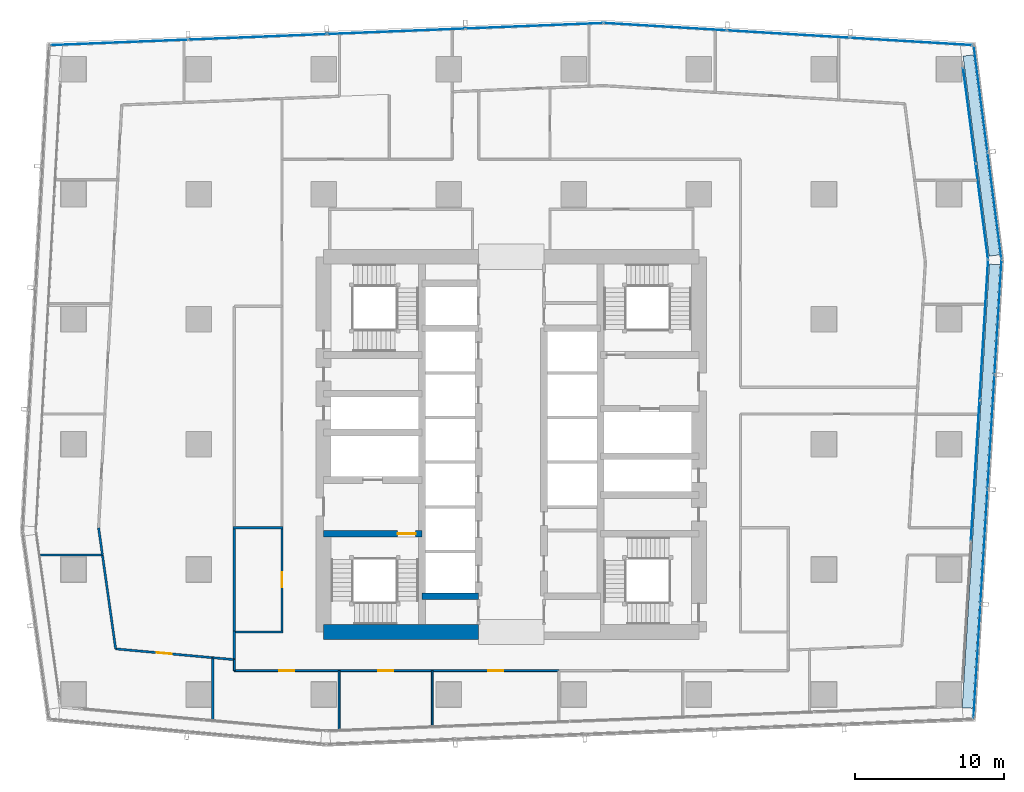
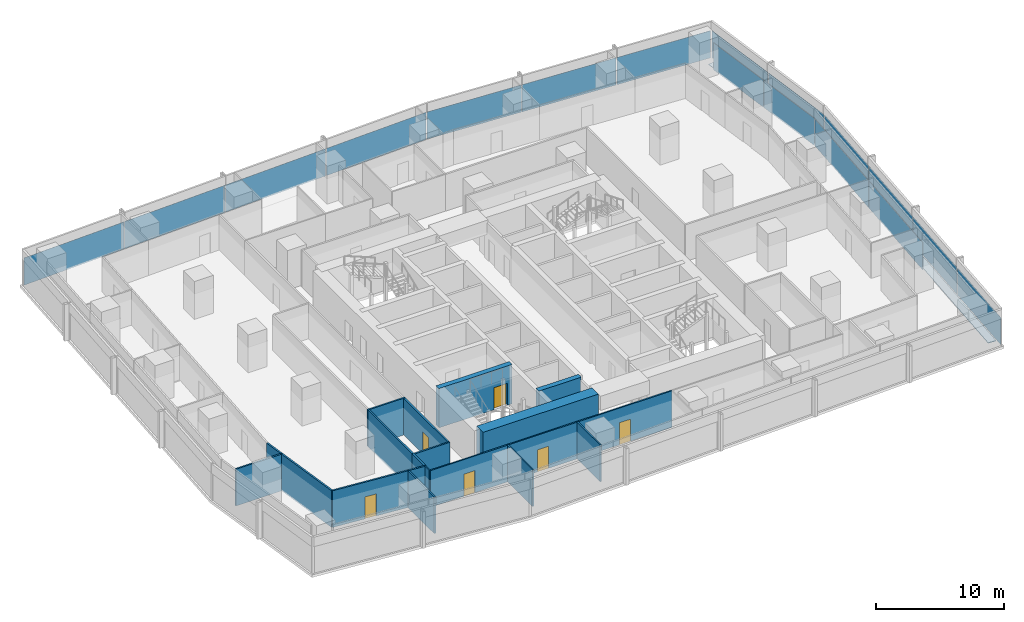
# One storey, part 28 of 40: 20 walls, 19 plates, 6 doors, 6 openings, 6 elements without a shape of their own.
"""IFC4 building model written with IfcOpenShell, lengths in metres."""

from ifc_helpers import new_model, si_unit, direction, frame, frame_2d, origin, origin_2d, place, context, subcontext, project, spatial, rectangle, extrude, material, layer, layer_set, type_object, element, fill, aggregate, save


model = new_model("IFC4")

# Units and contexts
model_context = context("Model", 3, precision=1e-05, world=origin(), true_north=direction((0.0, 1.0)))
body_context = subcontext(model_context, "Body", "Model", "MODEL_VIEW")
ifc_project = project(units=[si_unit("LENGTHUNIT", "METRE"), si_unit("AREAUNIT", "SQUARE_METRE"), si_unit("VOLUMEUNIT", "CUBIC_METRE"), si_unit("PLANEANGLEUNIT", "RADIAN"), si_unit("MASSUNIT", "GRAM", prefix="KILO")], contexts=[model_context])

# Site, building, storey
site_placement = place(None, origin())
site = spatial("IfcSite", under=ifc_project, at=site_placement, CompositionType="ELEMENT")
building_placement = place(site_placement, origin())
building = spatial("IfcBuilding", under=site, at=building_placement, Name="Rekha Terrace Tower", CompositionType="ELEMENT")
storey_placement = place(building_placement, frame((0.0, 0.0, 121.550048828125)))
storey = spatial("IfcBuildingStorey", under=building, at=storey_placement, Name="L30", CompositionType="ELEMENT", Elevation=121.550048828125)

# Curtain wall, plates
ifc_material_1 = material(Name="Aluminium framing", Category="aluminium")
curtain_wall_type_1 = type_object("IfcCurtainWallType", Name="CW1 double skin inner glazing", PredefinedType="USERDEFINED", material=ifc_material_1)
curtain_wall_1_placement = place(storey_placement, origin())
curtain_wall_1 = element("IfcCurtainWall", 1, at=curtain_wall_1_placement, inside=storey, type_object=curtain_wall_type_1, Name="CW1 double skin inner glazing", ObjectType="DOUBLE SKIN INNER GLAZING", PredefinedType="USERDEFINED")
ifc_material_2 = material(Name="Double-glazed low-e unit 32", Category="glass")
ifc_layer_1 = layer(ifc_material_2, 0.031982421875)
ifc_layer_set_1 = layer_set([ifc_layer_1], Name="Double-glazed low-e unit 32")
plate_type_1 = type_object("IfcPlateType", Name="CW1 jumbo vision panel, double-glazed low-e unit 32", PredefinedType="CURTAIN_PANEL", material=ifc_layer_set_1)
plate_1_placement = place(storey_placement, frame((68.968505859375, 31.8193359375, 0.0), z_axis=(0.0, 0.0, 1.0), x_axis=(0.061159803131, 0.998127987024, 0.0)))
plate_1 = element("IfcPlate", 2, at=plate_1_placement, type_object=plate_type_1, Name="CW1 panel 2.1", PredefinedType="CURTAIN_PANEL", context=body_context, shape_type="SweptSolid", body=[
    extrude(rectangle(XDim=9.3876953125, YDim=0.031982421875, at=origin_2d()), origin(), (0.0, 0.0, 1.0), 2.60009765625),
])
plate_2_placement = place(storey_placement, frame((69.547607421875, 41.2705078125, 0.0), z_axis=(0.0, 0.0, 1.0), x_axis=(0.061159803131, 0.998127987024, 0.0)))
plate_2 = element("IfcPlate", 3, at=plate_2_placement, type_object=plate_type_1, Name="CW1 panel 3.1", PredefinedType="CURTAIN_PANEL", context=body_context, shape_type="SweptSolid", body=[
    extrude(rectangle(XDim=9.420166015625, YDim=0.031982421875, at=origin_2d()), origin(), (0.0, 0.0, 1.0), 2.60009765625),
])
aggregate(curtain_wall_1, [plate_1, plate_2])

curtain_wall_2_placement = place(storey_placement, origin())
curtain_wall_2 = element("IfcCurtainWall", 4, at=curtain_wall_2_placement, inside=storey, type_object=curtain_wall_type_1, Name="CW1 double skin inner glazing", ObjectType="DOUBLE SKIN INNER GLAZING", PredefinedType="USERDEFINED")
plate_3_placement = place(storey_placement, frame((69.411376953125, 49.230712890625, 0.0), z_axis=(0.0, 0.0, 1.0), x_axis=(-0.129118383675, 0.991629186237, 0.0)))
plate_3 = element("IfcPlate", 5, at=plate_3_placement, type_object=plate_type_1, Name="CW1 panel 1.1", PredefinedType="CURTAIN_PANEL", context=body_context, shape_type="SweptSolid", body=[
    extrude(rectangle(XDim=6.443115234375, YDim=0.031982421875, at=origin_2d()), origin(), (0.0, 0.0, 1.0), 2.60009765625),
])
plate_4_placement = place(storey_placement, frame((68.571044921875, 55.68408203125, 0.0), z_axis=(0.0, 0.0, 1.0), x_axis=(-0.129118383675, 0.991629186237, 0.0)))
plate_4 = element("IfcPlate", 6, at=plate_4_placement, type_object=plate_type_1, Name="CW1 panel 2.1", PredefinedType="CURTAIN_PANEL", context=body_context, shape_type="SweptSolid", body=[
    extrude(rectangle(XDim=6.443115234375, YDim=0.031982421875, at=origin_2d()), origin(), (0.0, 0.0, 1.0), 2.60009765625),
])
aggregate(curtain_wall_2, [plate_3, plate_4])

curtain_wall_type_2 = type_object("IfcCurtainWallType", Name="CW2 double skin outer glazing", PredefinedType="USERDEFINED", material=ifc_material_1)
curtain_wall_3_placement = place(storey_placement, origin())
curtain_wall_3 = element("IfcCurtainWall", 7, at=curtain_wall_3_placement, inside=storey, type_object=curtain_wall_type_2, Name="CW2 double skin outer glazing", ObjectType="DOUBLE SKIN OUTER GLAZING", PredefinedType="USERDEFINED")
ifc_material_3 = material(Name="Toughened single glazing 12", Category="glass")
ifc_layer_2 = layer(ifc_material_3, 0.011962890625)
ifc_layer_set_2 = layer_set([ifc_layer_2], Name="Toughened single glazing 12")
plate_type_2 = type_object("IfcPlateType", Name="CW2 jumbo vision panel, toughened single glazing 12", PredefinedType="CURTAIN_PANEL", material=ifc_layer_set_2)
plate_5_placement = place(storey_placement, frame((69.086669921875, 19.0302734375, 0.0), z_axis=(0.0, 0.0, 1.0), x_axis=(0.061159803131, 0.998127987024, 0.0)))
plate_5 = element("IfcPlate", 8, at=plate_5_placement, type_object=plate_type_2, Name="CW2 panel 1.1", PredefinedType="CURTAIN_PANEL", context=body_context, shape_type="SweptSolid", body=[
    extrude(rectangle(XDim=7.6064453125, YDim=0.011962890625, at=origin_2d()), origin(), (0.0, 0.0, 1.0), 2.60009765625),
])
plate_6_placement = place(storey_placement, frame((69.557861328125, 26.722412109375, 0.0), z_axis=(0.0, 0.0, 1.0), x_axis=(0.061159803131, 0.998127987024, 0.0)))
plate_6 = element("IfcPlate", 9, at=plate_6_placement, type_object=plate_type_2, Name="CW2 panel 2.1", PredefinedType="CURTAIN_PANEL", context=body_context, shape_type="SweptSolid", body=[
    extrude(rectangle(XDim=7.646484375, YDim=0.011962890625, at=origin_2d()), origin(), (0.0, 0.0, 1.0), 2.60009765625),
])
plate_7_placement = place(storey_placement, frame((70.030517578125, 34.434326171875, 0.0), z_axis=(0.0, 0.0, 1.0), x_axis=(0.061159803131, 0.998127987024, 0.0)))
plate_7 = element("IfcPlate", 10, at=plate_7_placement, type_object=plate_type_2, Name="CW2 panel 3.1", PredefinedType="CURTAIN_PANEL", context=body_context, shape_type="SweptSolid", body=[
    extrude(rectangle(XDim=7.646484375, YDim=0.011962890625, at=origin_2d()), origin(), (0.0, 0.0, 1.0), 2.60009765625),
])
plate_8_placement = place(storey_placement, frame((70.50439453125, 42.16650390625, 0.0), z_axis=(0.0, 0.0, 1.0), x_axis=(0.061159803131, 0.998127987024, 0.0)))
plate_8 = element("IfcPlate", 11, at=plate_8_placement, type_object=plate_type_2, Name="CW2 panel 4.1", PredefinedType="CURTAIN_PANEL", context=body_context, shape_type="SweptSolid", body=[
    extrude(rectangle(XDim=7.6865234375, YDim=0.011962890625, at=origin_2d()), origin(), (0.0, 0.0, 1.0), 2.60009765625),
])
aggregate(curtain_wall_3, [plate_5, plate_6, plate_7, plate_8])

curtain_wall_4_placement = place(storey_placement, origin())
curtain_wall_4 = element("IfcCurtainWall", 12, at=curtain_wall_4_placement, inside=storey, type_object=curtain_wall_type_2, Name="CW2 double skin outer glazing", ObjectType="DOUBLE SKIN OUTER GLAZING", PredefinedType="USERDEFINED")
plate_9_placement = place(storey_placement, frame((70.2666015625, 49.6337890625, 0.0), z_axis=(0.0, 0.0, 1.0), x_axis=(-0.129118383623, 0.991629186244, 0.0)))
plate_9 = element("IfcPlate", 13, at=plate_9_placement, type_object=plate_type_2, Name="CW2 panel 1.1", PredefinedType="CURTAIN_PANEL", context=body_context, shape_type="SweptSolid", body=[
    extrude(rectangle(XDim=7.163818359375, YDim=0.011962890625, at=origin_2d()), origin(), (0.0, 0.0, 1.0), 2.60009765625),
])
plate_10_placement = place(storey_placement, frame((69.331298828125, 56.81689453125, 0.0), z_axis=(0.0, 0.0, 1.0), x_axis=(-0.129118383623, 0.991629186244, 0.0)))
plate_10 = element("IfcPlate", 14, at=plate_10_placement, type_object=plate_type_2, Name="CW2 panel 2.1", PredefinedType="CURTAIN_PANEL", context=body_context, shape_type="SweptSolid", body=[
    extrude(rectangle(XDim=7.163818359375, YDim=0.011962890625, at=origin_2d()), origin(), (0.0, 0.0, 1.0), 2.60009765625),
])
aggregate(curtain_wall_4, [plate_9, plate_10])

curtain_wall_type_3 = type_object("IfcCurtainWallType", Name="CW3 north unitised glazing", PredefinedType="USERDEFINED", material=ifc_material_1)
curtain_wall_5_placement = place(storey_placement, origin())
curtain_wall_5 = element("IfcCurtainWall", 15, at=curtain_wall_5_placement, inside=storey, type_object=curtain_wall_type_3, Name="CW3 unitised curtain wall", ObjectType="UNITISED CURTAIN WALL", PredefinedType="USERDEFINED")
ifc_material_4 = material(Name="Double-glazed unit 28", Category="glass")
ifc_layer_3 = layer(ifc_material_4, 0.028076171875)
ifc_layer_set_3 = layer_set([ifc_layer_3], Name="Double-glazed unit 28")
plate_type_3 = type_object("IfcPlateType", Name="CW3 jumbo vision panel, double-glazed unit 28", PredefinedType="CURTAIN_PANEL", material=ifc_layer_set_3)
plate_11_placement = place(storey_placement, frame((64.6748046875, 60.65966796875, 0.0), z_axis=(0.0, 0.0, 1.0), x_axis=(-0.998199102701, 0.059987926837, 0.0)))
plate_11 = element("IfcPlate", 16, at=plate_11_placement, type_object=plate_type_3, Name="CW3 panel 1.1", PredefinedType="CURTAIN_PANEL", context=body_context, shape_type="SweptSolid", body=[
    extrude(rectangle(XDim=8.171630859375, YDim=0.028076171875, at=origin_2d()), origin(), (0.0, 0.0, 1.0), 2.60009765625),
])
plate_12_placement = place(storey_placement, frame((56.430419921875, 61.155029296875, 0.0), z_axis=(0.0, 0.0, 1.0), x_axis=(-0.998199102701, 0.059987926837, 0.0)))
plate_12 = element("IfcPlate", 17, at=plate_12_placement, type_object=plate_type_3, Name="CW3 panel 2.1", PredefinedType="CURTAIN_PANEL", context=body_context, shape_type="SweptSolid", body=[
    extrude(rectangle(XDim=8.20654296875, YDim=0.028076171875, at=origin_2d()), origin(), (0.0, 0.0, 1.0), 2.60009765625),
])
plate_13_placement = place(storey_placement, frame((48.1513671875, 61.652587890625, 0.0), z_axis=(0.0, 0.0, 1.0), x_axis=(-0.998199102701, 0.059987926837, 0.0)))
plate_13 = element("IfcPlate", 18, at=plate_13_placement, type_object=plate_type_3, Name="CW3 panel 3.1", PredefinedType="CURTAIN_PANEL", context=body_context, shape_type="SweptSolid", body=[
    extrude(rectangle(XDim=8.24169921875, YDim=0.028076171875, at=origin_2d()), origin(), (0.0, 0.0, 1.0), 2.60009765625),
])
aggregate(curtain_wall_5, [plate_11, plate_12, plate_13])

curtain_wall_6_placement = place(storey_placement, origin())
curtain_wall_6 = element("IfcCurtainWall", 19, at=curtain_wall_6_placement, inside=storey, type_object=curtain_wall_type_3, Name="CW3 unitised curtain wall", ObjectType="UNITISED CURTAIN WALL", PredefinedType="USERDEFINED")
plate_14_placement = place(storey_placement, frame((39.364501953125, 61.71240234375, 0.0), z_axis=(0.0, 0.0, 1.0), x_axis=(-0.999198398721, -0.040031987119, 0.0)))
plate_14 = element("IfcPlate", 20, at=plate_14_placement, type_object=plate_type_3, Name="CW3 panel 1.1", PredefinedType="CURTAIN_PANEL", context=body_context, shape_type="SweptSolid", body=[
    extrude(rectangle(XDim=9.214599609375, YDim=0.028076171875, at=origin_2d()), origin(), (0.0, 0.0, 1.0), 2.60009765625),
])
plate_15_placement = place(storey_placement, frame((30.06982421875, 61.340087890625, 0.0), z_axis=(0.0, 0.0, 1.0), x_axis=(-0.999198398721, -0.040031987119, 0.0)))
plate_15 = element("IfcPlate", 21, at=plate_15_placement, type_object=plate_type_3, Name="CW3 panel 2.1", PredefinedType="CURTAIN_PANEL", context=body_context, shape_type="SweptSolid", body=[
    extrude(rectangle(XDim=9.24951171875, YDim=0.028076171875, at=origin_2d()), origin(), (0.0, 0.0, 1.0), 2.60009765625),
])
plate_16_placement = place(storey_placement, frame((20.7578125, 60.967041015625, 0.0), z_axis=(0.0, 0.0, 1.0), x_axis=(-0.999198398721, -0.040031987119, 0.0)))
plate_16 = element("IfcPlate", 22, at=plate_16_placement, type_object=plate_type_3, Name="CW3 panel 3.1", PredefinedType="CURTAIN_PANEL", context=body_context, shape_type="SweptSolid", body=[
    extrude(rectangle(XDim=9.24951171875, YDim=0.028076171875, at=origin_2d()), origin(), (0.0, 0.0, 1.0), 2.60009765625),
])
plate_17_placement = place(storey_placement, frame((11.46337890625, 60.5947265625, 0.0), z_axis=(0.0, 0.0, 1.0), x_axis=(-0.999198398721, -0.040031987119, 0.0)))
plate_17 = element("IfcPlate", 23, at=plate_17_placement, type_object=plate_type_3, Name="CW3 panel 4.1", PredefinedType="CURTAIN_PANEL", context=body_context, shape_type="SweptSolid", body=[
    extrude(rectangle(XDim=9.214599609375, YDim=0.028076171875, at=origin_2d()), origin(), (0.0, 0.0, 1.0), 2.60009765625),
])
aggregate(curtain_wall_6, [plate_14, plate_15, plate_16, plate_17])

# Plates
ifc_material_5 = material(Name="Galvanised steel open grating", Category="steel")
ifc_layer_4 = layer(ifc_material_5, 0.050048828125)
ifc_layer_set_4 = layer_set([ifc_layer_4], Name="Galvanised steel open grating")
plate_type_4 = type_object("IfcPlateType", Name="GT1 cavity walkway grating 50", PredefinedType="USERDEFINED", material=ifc_layer_set_4)
plate_18_placement = place(storey_placement, frame((69.356201171875, 30.78759765625, 0.0), z_axis=(0.0, 0.0, 1.0), x_axis=(0.061159803131, 0.998127987024, 0.0)))
element("IfcPlate", 24, at=plate_18_placement, inside=storey, type_object=plate_type_4, Name="Cavity walkway grating", ObjectType="CAVITY WALKWAY GRATING", PredefinedType="USERDEFINED", context=body_context, shape_type="SweptSolid", body=[
    extrude(rectangle(XDim=29.85595703125, YDim=0.705078125, at=origin_2d()), origin(), (0.0, 0.0, 1.0), 0.050048828125),
])
plate_19_placement = place(storey_placement, frame((69.373779296875, 53.004150390625, 0.0), z_axis=(0.0, 0.0, 1.0), x_axis=(-0.129118383623, 0.991629186244, 0.0)))
element("IfcPlate", 25, at=plate_19_placement, inside=storey, type_object=plate_type_4, Name="Cavity walkway grating", ObjectType="CAVITY WALKWAY GRATING", PredefinedType="USERDEFINED", context=body_context, shape_type="SweptSolid", body=[
    extrude(rectangle(XDim=13.552734375, YDim=0.705078125, at=origin_2d()), origin(), (0.0, 0.0, 1.0), 0.050048828125),
])

# Wall
ifc_material_6 = material(Name="Concrete M70", Category="concrete")
ifc_layer_5 = layer(ifc_material_6, 0.449951171875)
ifc_layer_set_5 = layer_set([ifc_layer_5], Name="Concrete M70")
wall_type_1 = type_object("IfcWallType", Name="CI2 450 core internal shear wall", PredefinedType="SHEAR", material=ifc_layer_set_5)
wall_1_placement = place(storey_placement, frame((31.800048828125, 23.39990234375, 0.0), z_axis=(0.0, 0.0, 1.0), x_axis=(1.0, 0.0, 0.0)))
element("IfcWall", 26, at=wall_1_placement, inside=storey, type_object=wall_type_1, Name="Core wall Y234W L30", PredefinedType="SHEAR", context=body_context, shape_type="SweptSolid", body=[
    extrude(rectangle(XDim=3.800048828125, YDim=0.449951171875, at=frame_2d((1.89990234375, 0.0))), origin(), (0.0, 0.0, 1.0), 3.75),
])

# Wall, opening, door
wall_2_placement = place(storey_placement, frame((25.199951171875, 27.60009765625, 0.0), z_axis=(0.0, 0.0, 1.0), x_axis=(1.0, 0.0, 0.0)))
wall_2 = element("IfcWall", 27, at=wall_2_placement, inside=storey, type_object=wall_type_1, Name="Core wall Y276W L30", PredefinedType="SHEAR", context=body_context, shape_type="SweptSolid", body=[
    extrude(rectangle(XDim=6.60009765625, YDim=0.449951171875, at=frame_2d((3.300048828125, 0.0))), origin(), (0.0, 0.0, 1.0), 3.75),
])
opening_1_placement = place(wall_2_placement, frame((4.97509765625, 0.0, 0.0)))
opening_1 = element("IfcOpeningElement", 28, at=opening_1_placement, cuts=wall_2, Name="Opening D1", PredefinedType="OPENING", context=body_context, shape_type="SweptSolid", body=[
    extrude(rectangle(XDim=1.199951171875, YDim=2.10009765625, at=frame_2d((0.60009765625, 1.050048828125))), frame((0.0, 0.23486328125, 0.0), z_axis=(0.0, -1.0, 0.0), x_axis=(1.0, 0.0, 0.0)), (0.0, 0.0, 1.0), 0.469970703125),
])
ifc_material_7 = material(Name="Steel fire door", Category="steel")
door_type_1 = type_object("IfcDoorType", Name="D1 1200x2100 stair fire door", OperationType="SINGLE_SWING_RIGHT", PredefinedType="DOOR", material=ifc_material_7)
door_1_placement = place(opening_1_placement, origin())
door_1 = element("IfcDoor", 29, at=door_1_placement, inside=storey, type_object=door_type_1, Name="Stair ST1 door L30", OperationType="SINGLE_SWING_RIGHT", OverallHeight=2.10009765625, OverallWidth=1.199951171875, PredefinedType="DOOR", context=body_context, shape_type="SweptSolid", body=[
    extrude(rectangle(XDim=1.199951171875, YDim=2.10009765625, at=frame_2d((0.60009765625, 1.050048828125))), frame((0.0, 0.02490234375, 0.0), z_axis=(0.0, -1.0, 0.0), x_axis=(1.0, 0.0, 0.0)), (0.0, 0.0, 1.0), 0.050048828125),
])
fill(opening_1, door_1)

# Walls
ifc_layer_6 = layer(ifc_material_6, 1.0)
ifc_layer_set_6 = layer_set([ifc_layer_6], Name="Concrete M70")
wall_type_2 = type_object("IfcWallType", Name="SW2 1000 core outer shear wall", PredefinedType="SHEAR", material=ifc_layer_set_6)
wall_3_placement = place(storey_placement, frame((25.199951171875, 21.0, 0.0), z_axis=(0.0, 0.0, 1.0), x_axis=(1.0, 0.0, 0.0)))
element("IfcWall", 30, at=wall_3_placement, inside=storey, type_object=wall_type_2, Name="Core wall S1 L30", PredefinedType="SHEAR", context=body_context, shape_type="SweptSolid", body=[
    extrude(rectangle(XDim=10.400146484375, YDim=1.0, at=frame_2d((5.2001953125, 0.0))), origin(), (0.0, 0.0, 1.0), 3.75),
])
ifc_material_8 = material(Name="Concrete block masonry, 1 hour", Category="masonry")
ifc_layer_7 = layer(ifc_material_8, 0.14990234375)
ifc_layer_set_7 = layer_set([ifc_layer_7], Name="Concrete block masonry, 1 hour")
wall_type_3 = type_object("IfcWallType", Name="WP2 150 tenancy partition", PredefinedType="PARTITIONING", material=ifc_layer_set_7)
for number, where, z_axis, x_axis, name in (
    (31, (19.125, 21.0, 0.0), (0.0, 0.0, 1.0), (1.0, 0.0, 0.0), "Men's WC wall L30"),
    (32, (19.125, 28.0, 0.0), (0.0, 0.0, 1.0), (1.0, 0.0, 0.0), "Men's WC wall L30"),
):
    element("IfcWall", number, at=place(storey_placement, frame(where, z_axis=z_axis, x_axis=x_axis)), inside=storey, type_object=wall_type_3, Name=name, PredefinedType="PARTITIONING", context=body_context, shape_type="SweptSolid", body=[
        extrude(rectangle(XDim=3.35009765625, YDim=0.14990234375, at=frame_2d((1.675048828125, 0.0))), origin(), (0.0, 0.0, 1.0), 3.5),
    ])
wall_4_placement = place(storey_placement, frame((19.199951171875, 21.074951171875, 0.0), z_axis=(0.0, 0.0, 1.0), x_axis=(0.0, 1.0, 0.0)))
element("IfcWall", 33, at=wall_4_placement, inside=storey, type_object=wall_type_3, Name="Men's WC wall L30", PredefinedType="PARTITIONING", context=body_context, shape_type="SweptSolid", body=[
    extrude(rectangle(XDim=6.85009765625, YDim=0.14990234375, at=frame_2d((3.425048828125, 0.0))), origin(), (0.0, 0.0, 1.0), 3.5),
])

# Wall, opening, door
wall_5_placement = place(storey_placement, frame((22.39990234375, 21.074951171875, 0.0), z_axis=(0.0, 0.0, 1.0), x_axis=(0.0, 1.0, 0.0)))
wall_5 = element("IfcWall", 34, at=wall_5_placement, inside=storey, type_object=wall_type_3, Name="Men's WC wall L30", PredefinedType="PARTITIONING", context=body_context, shape_type="SweptSolid", body=[
    extrude(rectangle(XDim=6.85009765625, YDim=0.14990234375, at=frame_2d((3.425048828125, 0.0))), origin(), (0.0, 0.0, 1.0), 3.5),
])
opening_2_placement = place(wall_5_placement, frame((2.925048828125, 0.0, 0.0)))
opening_2 = element("IfcOpeningElement", 35, at=opening_2_placement, cuts=wall_5, Name="Opening D3", PredefinedType="OPENING", context=body_context, shape_type="SweptSolid", body=[
    extrude(rectangle(XDim=1.0, YDim=2.10009765625, at=frame_2d((0.5, 1.050048828125))), frame((0.0, 0.0849609375, 0.0), z_axis=(0.0, -1.0, 0.0), x_axis=(1.0, 0.0, 0.0)), (0.0, 0.0, 1.0), 0.169921875),
])
ifc_material_9 = material(Name="Laminated timber fire door", Category="wood")
door_type_2 = type_object("IfcDoorType", Name="D3 1000x2100 WC door", OperationType="SINGLE_SWING_LEFT", PredefinedType="DOOR", material=ifc_material_9)
door_2_placement = place(opening_2_placement, origin())
door_2 = element("IfcDoor", 36, at=door_2_placement, inside=storey, type_object=door_type_2, Name="Door men's wc L30", OperationType="SINGLE_SWING_LEFT", OverallHeight=2.10009765625, OverallWidth=1.0, PredefinedType="DOOR", context=body_context, shape_type="SweptSolid", body=[
    extrude(rectangle(XDim=1.0, YDim=2.10009765625, at=frame_2d((0.5, 1.050048828125))), frame((0.0, 0.02490234375, 0.0), z_axis=(0.0, -1.0, 0.0), x_axis=(1.0, 0.0, 0.0)), (0.0, 0.0, 1.0), 0.050048828125),
])
fill(opening_2, door_2)

# Walls
wall_6_placement = place(storey_placement, frame((19.199951171875, 21.074951171875, 0.0), z_axis=(0.0, 0.0, 1.0), x_axis=(0.0, -1.0, 0.0)))
element("IfcWall", 37, at=wall_6_placement, inside=storey, type_object=wall_type_3, Name="Partition L30-O1c", PredefinedType="PARTITIONING", context=body_context, shape_type="SweptSolid", body=[
    extrude(rectangle(XDim=1.93701171875, YDim=0.14990234375, at=frame_2d((0.968505859375, 0.0))), origin(), (0.0, 0.0, 1.0), 3.5),
])
wall_7_placement = place(storey_placement, frame((19.199951171875, 19.137939453125, 0.0), z_axis=(0.0, 0.0, 1.0), x_axis=(-0.995920706464, 0.090232734836, 0.0)))
element("IfcWall", 38, at=wall_7_placement, inside=storey, type_object=wall_type_3, Name="Partition L30-O1c", PredefinedType="PARTITIONING", context=body_context, shape_type="SweptSolid", body=[
    extrude(rectangle(XDim=1.452880859375, YDim=0.14990234375, at=frame_2d((0.7265625, 0.0))), origin(), (0.0, 0.0, 1.0), 3.5),
])
wall_8_placement = place(storey_placement, frame((17.7529296875, 19.26904296875, 0.0), z_axis=(0.0, 0.0, 1.0), x_axis=(0.0, -1.0, 0.0)))
element("IfcWall", 39, at=wall_8_placement, inside=storey, type_object=wall_type_3, Name="Partition L30-O1c", PredefinedType="PARTITIONING", context=body_context, shape_type="SweptSolid", body=[
    extrude(rectangle(XDim=4.1669921875, YDim=0.14990234375, at=frame_2d((2.08349609375, 0.0))), origin(), (0.0, 0.0, 1.0), 3.5),
])

# Wall, opening, door
wall_9_placement = place(storey_placement, frame((17.751953125, 19.26904296875, 0.0), z_axis=(0.0, 0.0, 1.0), x_axis=(-0.995896565077, 0.090498793736, 0.0)))
wall_9 = element("IfcWall", 40, at=wall_9_placement, inside=storey, type_object=wall_type_3, Name="Partition L30-O1c", PredefinedType="PARTITIONING", context=body_context, shape_type="SweptSolid", body=[
    extrude(rectangle(XDim=6.552734375, YDim=0.14990234375, at=frame_2d((3.2763671875, 0.0))), origin(), (0.0, 0.0, 1.0), 3.5),
])
opening_3_placement = place(wall_9_placement, frame((2.77587890625, 0.0, 0.0)))
opening_3 = element("IfcOpeningElement", 41, at=opening_3_placement, cuts=wall_9, Name="Opening D9", PredefinedType="OPENING", context=body_context, shape_type="SweptSolid", body=[
    extrude(rectangle(XDim=1.0, YDim=2.10009765625, at=frame_2d((0.5, 1.050048828125))), frame((0.0, 0.0849609375, 0.0), z_axis=(0.0, -1.0, 0.0), x_axis=(1.0, 0.0, 0.0)), (0.0, 0.0, 1.0), 0.169921875),
])
ifc_material_10 = material(Name="Timber fire door", Category="wood")
door_type_3 = type_object("IfcDoorType", Name="D9 1000x2100 office door", OperationType="SINGLE_SWING_LEFT", PredefinedType="DOOR", material=ifc_material_10)
door_3_placement = place(opening_3_placement, origin())
door_3 = element("IfcDoor", 42, at=door_3_placement, inside=storey, type_object=door_type_3, Name="Door director's office L30", OperationType="SINGLE_SWING_LEFT", OverallHeight=2.10009765625, OverallWidth=1.0, PredefinedType="DOOR", context=body_context, shape_type="SweptSolid", body=[
    extrude(rectangle(XDim=1.0, YDim=2.10009765625, at=frame_2d((0.5, 1.050048828125))), frame((0.0, 0.02490234375, 0.0), z_axis=(0.0, -1.0, 0.0), x_axis=(1.0, 0.0, 0.0)), (0.0, 0.0, 1.0), 0.050048828125),
])
fill(opening_3, door_3)

# Walls
wall_10_placement = place(storey_placement, frame((11.22607421875, 19.862060546875, 0.0), z_axis=(0.0, 0.0, 1.0), x_axis=(-0.13959860056, 0.990208175447, 0.0)))
element("IfcWall", 43, at=wall_10_placement, inside=storey, type_object=wall_type_3, Name="Partition L30-O1c", PredefinedType="PARTITIONING", context=body_context, shape_type="SweptSolid", body=[
    extrude(rectangle(XDim=6.37646484375, YDim=0.14990234375, at=frame_2d((3.188232421875, 0.0))), origin(), (0.0, 0.0, 1.0), 3.5),
])
wall_11_placement = place(storey_placement, frame((10.3359375, 26.176025390625, 0.0), z_axis=(0.0, 0.0, 1.0), x_axis=(-1.0, 0.0, 0.0)))
element("IfcWall", 44, at=wall_11_placement, inside=storey, type_object=wall_type_3, Name="Partition L30-O1c", PredefinedType="PARTITIONING", context=body_context, shape_type="SweptSolid", body=[
    extrude(rectangle(XDim=4.19091796875, YDim=0.14990234375, at=frame_2d((2.095458984375, 0.0))), origin(), (0.0, 0.0, 1.0), 3.5),
])
wall_12_placement = place(storey_placement, frame((10.3359375, 26.177001953125, 0.0), z_axis=(0.0, 0.0, 1.0), x_axis=(-0.139520002301, 0.990219252973, 0.0)))
element("IfcWall", 45, at=wall_12_placement, inside=storey, type_object=wall_type_3, Name="Partition L30-O1c", PredefinedType="PARTITIONING", context=body_context, shape_type="SweptSolid", body=[
    extrude(rectangle(XDim=1.833740234375, YDim=0.14990234375, at=frame_2d((0.9169921875, 0.0))), origin(), (0.0, 0.0, 1.0), 3.5),
])
ifc_material_11 = material(Name="Two layers of fire-rated gypsum board each side on steel studs, acoustic quilt, 1 hour", Category="steel")
ifc_layer_8 = layer(ifc_material_11, 0.125)
ifc_layer_set_8 = layer_set([ifc_layer_8], Name="Two layers of fire-rated gypsum board each side on steel studs, acoustic quilt, 1 hour")
wall_type_4 = type_object("IfcWallType", Name="WP3 125 office partition", PredefinedType="PARTITIONING", material=ifc_layer_set_8)
wall_13_placement = place(storey_placement, frame((19.199951171875, 19.137939453125, 0.0), z_axis=(0.0, 0.0, 1.0), x_axis=(0.0, -1.0, 0.0)))
element("IfcWall", 46, at=wall_13_placement, inside=storey, type_object=wall_type_4, Name="Partition L30-22", PredefinedType="PARTITIONING", context=body_context, shape_type="SweptSolid", body=[
    extrude(rectangle(XDim=0.738037109375, YDim=0.125, at=frame_2d((0.369140625, 0.0))), origin(), (0.0, 0.0, 1.0), 3.5),
])

# Wall, opening, door
wall_14_placement = place(storey_placement, frame((19.199951171875, 18.39990234375, 0.0), z_axis=(0.0, 0.0, 1.0), x_axis=(1.0, 0.0, 0.0)))
wall_14 = element("IfcWall", 47, at=wall_14_placement, inside=storey, type_object=wall_type_4, Name="Partition L30-22", PredefinedType="PARTITIONING", context=body_context, shape_type="SweptSolid", body=[
    extrude(rectangle(XDim=7.033935546875, YDim=0.125, at=frame_2d((3.51708984375, 0.0))), origin(), (0.0, 0.0, 1.0), 3.5),
])
opening_4_placement = place(wall_14_placement, frame((3.01708984375, 0.0, 0.0)))
opening_4 = element("IfcOpeningElement", 48, at=opening_4_placement, cuts=wall_14, Name="Opening D9", PredefinedType="OPENING", context=body_context, shape_type="SweptSolid", body=[
    extrude(rectangle(XDim=1.0, YDim=2.10009765625, at=frame_2d((0.5, 1.050048828125))), frame((0.0, 0.072509765625, 0.0), z_axis=(0.0, -1.0, 0.0), x_axis=(1.0, 0.0, 0.0)), (0.0, 0.0, 1.0), 0.14501953125),
])
door_4_placement = place(opening_4_placement, origin())
door_4 = element("IfcDoor", 49, at=door_4_placement, inside=storey, type_object=door_type_3, Name="Door office L30", OperationType="SINGLE_SWING_LEFT", OverallHeight=2.10009765625, OverallWidth=1.0, PredefinedType="DOOR", context=body_context, shape_type="SweptSolid", body=[
    extrude(rectangle(XDim=1.0, YDim=2.10009765625, at=frame_2d((0.5, 1.050048828125))), frame((0.0, 0.02490234375, 0.0), z_axis=(0.0, -1.0, 0.0), x_axis=(1.0, 0.0, 0.0)), (0.0, 0.0, 1.0), 0.050048828125),
])
fill(opening_4, door_4)

# Wall
wall_15_placement = place(storey_placement, frame((26.23388671875, 18.39990234375, 0.0), z_axis=(0.0, 0.0, 1.0), x_axis=(0.0, -1.0, 0.0)))
element("IfcWall", 50, at=wall_15_placement, inside=storey, type_object=wall_type_4, Name="Partition L30-22", PredefinedType="PARTITIONING", context=body_context, shape_type="SweptSolid", body=[
    extrude(rectangle(XDim=3.953857421875, YDim=0.125, at=frame_2d((1.97705078125, 0.0))), origin(), (0.0, 0.0, 1.0), 3.5),
])

# Wall, opening, door
wall_16_placement = place(storey_placement, frame((26.235107421875, 18.39990234375, 0.0), z_axis=(0.0, 0.0, 1.0), x_axis=(1.0, 0.0, 0.0)))
wall_16 = element("IfcWall", 51, at=wall_16_placement, inside=storey, type_object=wall_type_4, Name="Partition L30-23", PredefinedType="PARTITIONING", context=body_context, shape_type="SweptSolid", body=[
    extrude(rectangle(XDim=6.2587890625, YDim=0.125, at=frame_2d((3.12939453125, 0.0))), origin(), (0.0, 0.0, 1.0), 3.5),
])
opening_5_placement = place(wall_16_placement, frame((2.6298828125, 0.0, 0.0)))
opening_5 = element("IfcOpeningElement", 52, at=opening_5_placement, cuts=wall_16, Name="Opening D9", PredefinedType="OPENING", context=body_context, shape_type="SweptSolid", body=[
    extrude(rectangle(XDim=1.0, YDim=2.10009765625, at=frame_2d((0.5, 1.050048828125))), frame((0.0, 0.072509765625, 0.0), z_axis=(0.0, -1.0, 0.0), x_axis=(1.0, 0.0, 0.0)), (0.0, 0.0, 1.0), 0.14501953125),
])
door_5_placement = place(opening_5_placement, origin())
door_5 = element("IfcDoor", 53, at=door_5_placement, inside=storey, type_object=door_type_3, Name="Door reference library L30", OperationType="SINGLE_SWING_LEFT", OverallHeight=2.10009765625, OverallWidth=1.0, PredefinedType="DOOR", context=body_context, shape_type="SweptSolid", body=[
    extrude(rectangle(XDim=1.0, YDim=2.10009765625, at=frame_2d((0.5, 1.050048828125))), frame((0.0, 0.02490234375, 0.0), z_axis=(0.0, -1.0, 0.0), x_axis=(1.0, 0.0, 0.0)), (0.0, 0.0, 1.0), 0.050048828125),
])
fill(opening_5, door_5)

# Wall
wall_17_placement = place(storey_placement, frame((32.493896484375, 18.39990234375, 0.0), z_axis=(0.0, 0.0, 1.0), x_axis=(0.0, -1.0, 0.0)))
element("IfcWall", 54, at=wall_17_placement, inside=storey, type_object=wall_type_4, Name="Partition L30-23", PredefinedType="PARTITIONING", context=body_context, shape_type="SweptSolid", body=[
    extrude(rectangle(XDim=3.679931640625, YDim=0.125, at=frame_2d((1.83984375, 0.0))), origin(), (0.0, 0.0, 1.0), 3.5),
])

# Wall, opening, door
wall_18_placement = place(storey_placement, frame((32.4951171875, 18.39990234375, 0.0), z_axis=(0.0, 0.0, 1.0), x_axis=(1.0, 0.0, 0.0)))
wall_18 = element("IfcWall", 55, at=wall_18_placement, inside=storey, type_object=wall_type_4, Name="Partition L30-24", PredefinedType="PARTITIONING", context=body_context, shape_type="SweptSolid", body=[
    extrude(rectangle(XDim=8.505859375, YDim=0.125, at=frame_2d((4.2529296875, 0.0))), origin(), (0.0, 0.0, 1.0), 3.5),
])
opening_6_placement = place(wall_18_placement, frame((3.7529296875, 0.0, 0.0)))
opening_6 = element("IfcOpeningElement", 56, at=opening_6_placement, cuts=wall_18, Name="Opening D9", PredefinedType="OPENING", context=body_context, shape_type="SweptSolid", body=[
    extrude(rectangle(XDim=1.0, YDim=2.10009765625, at=frame_2d((0.5, 1.050048828125))), frame((0.0, 0.072509765625, 0.0), z_axis=(0.0, -1.0, 0.0), x_axis=(1.0, 0.0, 0.0)), (0.0, 0.0, 1.0), 0.14501953125),
])
door_6_placement = place(opening_6_placement, origin())
door_6 = element("IfcDoor", 57, at=door_6_placement, inside=storey, type_object=door_type_3, Name="Door breakout lounge L30", OperationType="SINGLE_SWING_LEFT", OverallHeight=2.10009765625, OverallWidth=1.0, PredefinedType="DOOR", context=body_context, shape_type="SweptSolid", body=[
    extrude(rectangle(XDim=1.0, YDim=2.10009765625, at=frame_2d((0.5, 1.050048828125))), frame((0.0, 0.02490234375, 0.0), z_axis=(0.0, -1.0, 0.0), x_axis=(1.0, 0.0, 0.0)), (0.0, 0.0, 1.0), 0.050048828125),
])
fill(opening_6, door_6)

save(model, "model.ifc")
